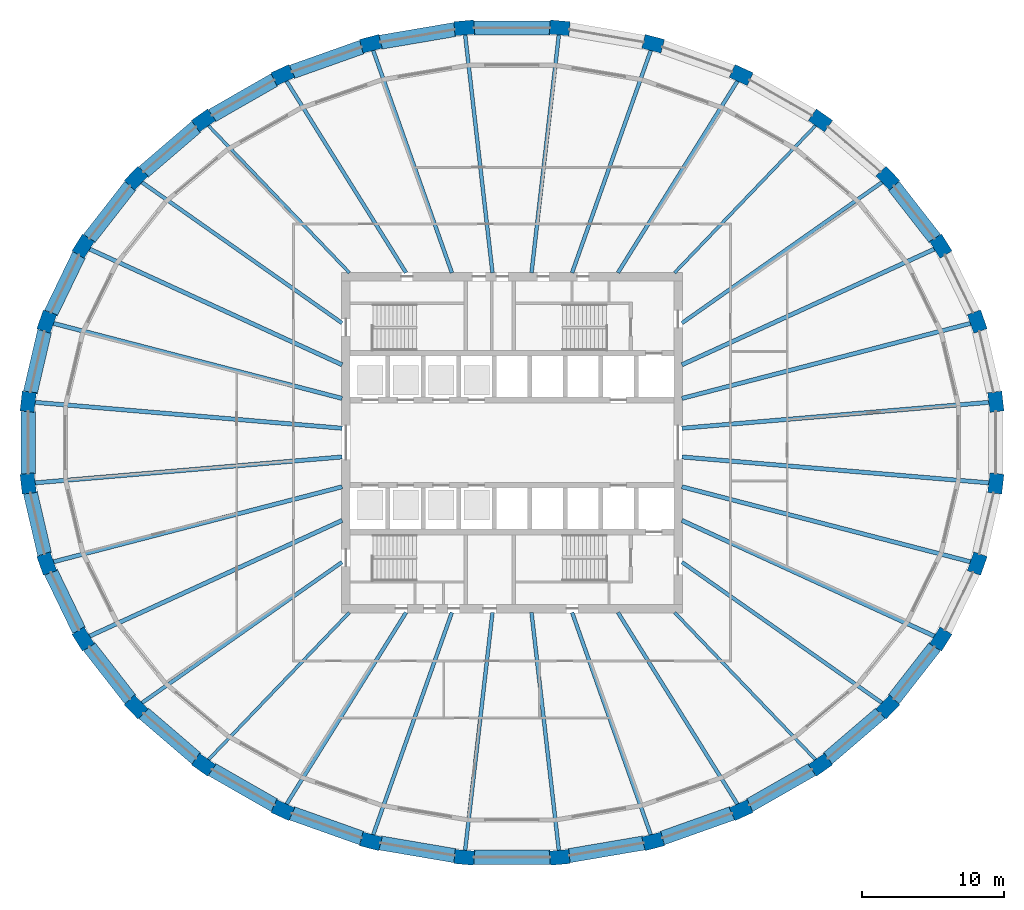
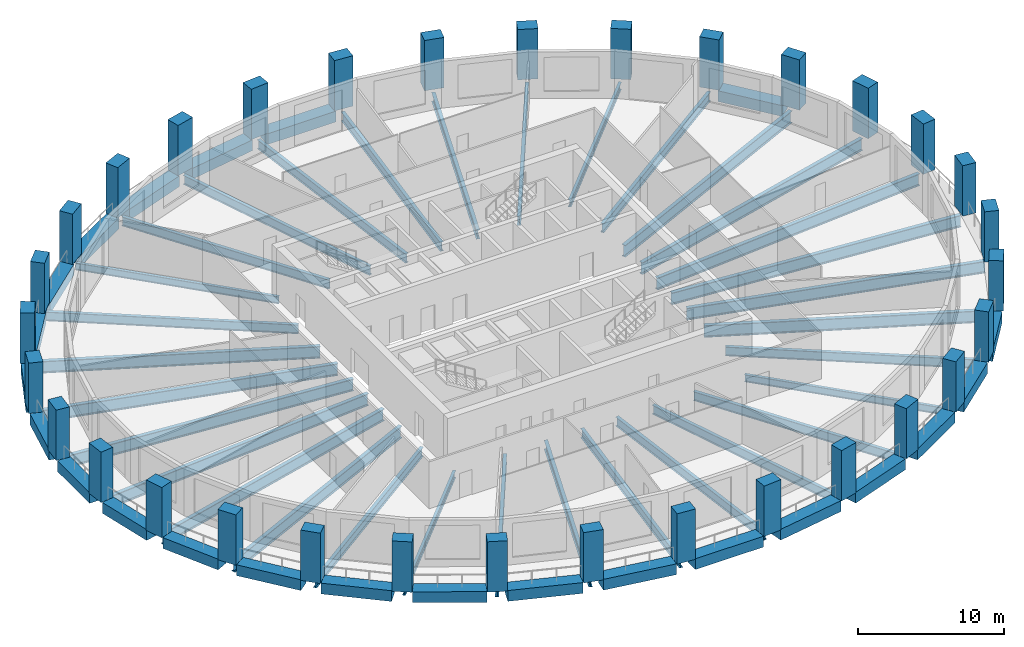
# One storey, part 1 of 11: 55 beams, 32 columns.
"""IFC4 building model written with IfcOpenShell, lengths in metres."""

from ifc_helpers import new_model, si_unit, direction, frame, origin, origin_2d, place, context, subcontext, project, spatial, rectangle, i_section, extrude, material, material_profile, profile_set, type_object, element, save


model = new_model("IFC4")

# Units and contexts
model_context = context("Model", 3, precision=1e-05, world=origin(), true_north=direction((0.0, 1.0)))
body_context = subcontext(model_context, "Body", "Model", "MODEL_VIEW")
ifc_project = project(units=[si_unit("LENGTHUNIT", "METRE"), si_unit("AREAUNIT", "SQUARE_METRE"), si_unit("VOLUMEUNIT", "CUBIC_METRE"), si_unit("PLANEANGLEUNIT", "RADIAN"), si_unit("MASSUNIT", "GRAM", prefix="KILO")], contexts=[model_context])

# Site, building, storey
site_placement = place(None, origin())
site = spatial("IfcSite", under=ifc_project, at=site_placement, CompositionType="ELEMENT")
building_placement = place(site_placement, origin())
building = spatial("IfcBuilding", under=site, at=building_placement, Name="Halqa Exchange Tower", CompositionType="ELEMENT")
storey_placement = place(building_placement, frame((0.0, 0.0, 142.300048828125)))
storey = spatial("IfcBuildingStorey", under=building, at=storey_placement, Name="L32", CompositionType="ELEMENT", Elevation=142.300048828125)

# Columns
ifc_material_1 = material(Name="Concrete C70/85", Category="concrete")
ifc_material_profile_1 = material_profile(ifc_material_1, rectangle(XDim=1.39990234375, YDim=1.0, at=origin_2d()), Name="1400 x 1000")
ifc_profile_set_1 = profile_set([ifc_material_profile_1], Name="Concrete C70/85")
column_type = type_object("IfcColumnType", Name="RC ring column 1400 x 1000 C70/85", PredefinedType="COLUMN", material=ifc_profile_set_1)
for number, where, z_axis, x_axis, name in (
    (1, (34.09814453125, 2.878662109375, 0.0), (0.0, 0.0, 1.0), (-0.114158655897, 0.993462531394, 0.0), "Ring column 1"),
    (2, (32.787841796875, 8.525146484375, 0.0), (0.0, 0.0, 1.0), (-0.33362916957, 0.942704395456, 0.0), "Ring column 2"),
    (3, (30.21728515625, 13.84423828125, 0.0), (0.0, 0.0, 1.0), (-0.529137534311, 0.848536074533, 0.0), "Ring column 3"),
    (4, (26.48583984375, 18.631103515625, 0.0), (0.0, 0.0, 1.0), (-0.691573569977, 0.722306027463, 0.0), "Ring column 4"),
    (5, (21.736328125, 22.7021484375, 0.0), (0.0, 0.0, 1.0), (-0.817907783846, 0.57534933486, 0.0), "Ring column 5"),
    (6, (16.151611328125, 25.900634765625, 0.0), (0.0, 0.0, 1.0), (-0.909127095833, 0.416518815449, 0.0), "Ring column 6"),
    (7, (9.946044921875, 28.10400390625, 0.0), (0.0, 0.0, 1.0), (-0.967819503571, 0.251645402317, 0.0), "Ring column 7"),
    (8, (3.3583984375, 29.22705078125, 0.0), (0.0, 0.0, 1.0), (-0.996455372165, 0.084123072248, 0.0), "Ring column 8"),
    (9, (-3.3583984375, 29.22705078125, 0.0), (0.0, 0.0, 1.0), (-0.996455372165, -0.084123072248, 0.0), "Ring column 9"),
    (10, (-9.946044921875, 28.10400390625, 0.0), (0.0, 0.0, 1.0), (-0.967819503571, -0.251645402317, 0.0), "Ring column 10"),
    (11, (-16.151611328125, 25.900634765625, 0.0), (0.0, 0.0, 1.0), (-0.909127095833, -0.416518815449, 0.0), "Ring column 11"),
    (12, (-21.736328125, 22.7021484375, 0.0), (0.0, 0.0, 1.0), (-0.817907783846, -0.57534933486, 0.0), "Ring column 12"),
    (13, (-26.48583984375, 18.631103515625, 0.0), (0.0, 0.0, 1.0), (-0.691573569977, -0.722306027463, 0.0), "Ring column 13"),
    (14, (-30.21728515625, 13.84423828125, 0.0), (0.0, 0.0, 1.0), (-0.529137534311, -0.848536074533, 0.0), "Ring column 14"),
    (15, (-32.787841796875, 8.525146484375, 0.0), (0.0, 0.0, 1.0), (-0.33362916957, -0.942704395456, 0.0), "Ring column 15"),
    (16, (-34.09814453125, 2.878662109375, 0.0), (0.0, 0.0, 1.0), (-0.114158655897, -0.993462531394, 0.0), "Ring column 16"),
    (17, (-34.09814453125, -2.878662109375, 0.0), (0.0, 0.0, 1.0), (0.114158655897, -0.993462531394, 0.0), "Ring column 17"),
    (18, (-32.787841796875, -8.525146484375, 0.0), (0.0, 0.0, 1.0), (0.33362916957, -0.942704395456, 0.0), "Ring column 18"),
    (19, (-30.21728515625, -13.84423828125, 0.0), (0.0, 0.0, 1.0), (0.529137534311, -0.848536074533, 0.0), "Ring column 19"),
    (20, (-26.48583984375, -18.631103515625, 0.0), (0.0, 0.0, 1.0), (0.691573569977, -0.722306027463, 0.0), "Ring column 20"),
    (21, (-21.736328125, -22.7021484375, 0.0), (0.0, 0.0, 1.0), (0.817907783846, -0.57534933486, 0.0), "Ring column 21"),
    (22, (-16.151611328125, -25.900634765625, 0.0), (0.0, 0.0, 1.0), (0.909127095833, -0.416518815449, 0.0), "Ring column 22"),
    (23, (-9.946044921875, -28.10400390625, 0.0), (0.0, 0.0, 1.0), (0.967819503571, -0.251645402317, 0.0), "Ring column 23"),
    (24, (-3.3583984375, -29.22705078125, 0.0), (0.0, 0.0, 1.0), (0.996455372165, -0.084123072248, 0.0), "Ring column 24"),
    (25, (3.3583984375, -29.22705078125, 0.0), (0.0, 0.0, 1.0), (0.996455372165, 0.084123072248, 0.0), "Ring column 25"),
    (26, (9.946044921875, -28.10400390625, 0.0), (0.0, 0.0, 1.0), (0.967819503571, 0.251645402317, 0.0), "Ring column 26"),
    (27, (16.151611328125, -25.900634765625, 0.0), (0.0, 0.0, 1.0), (0.909127095833, 0.416518815449, 0.0), "Ring column 27"),
    (28, (21.736328125, -22.7021484375, 0.0), (0.0, 0.0, 1.0), (0.817907783846, 0.57534933486, 0.0), "Ring column 28"),
    (29, (26.48583984375, -18.631103515625, 0.0), (0.0, 0.0, 1.0), (0.691573569977, 0.722306027463, 0.0), "Ring column 29"),
    (30, (30.21728515625, -13.84423828125, 0.0), (0.0, 0.0, 1.0), (0.529137534311, 0.848536074533, 0.0), "Ring column 30"),
    (31, (32.787841796875, -8.525146484375, 0.0), (0.0, 0.0, 1.0), (0.33362916957, 0.942704395456, 0.0), "Ring column 31"),
    (32, (34.09814453125, -2.878662109375, 0.0), (0.0, 0.0, 1.0), (0.114158655897, 0.993462531394, 0.0), "Ring column 32"),
):
    element("IfcColumn", number, at=place(storey_placement, frame(where, z_axis=z_axis, x_axis=x_axis)), inside=storey, type_object=column_type, Name=name, PredefinedType="COLUMN", context=body_context, shape_type="SweptSolid", body=[
        extrude(rectangle(XDim=1.39990234375, YDim=1.0, at=origin_2d()), origin(), (0.0, 0.0, 1.0), 4.199951171875),
    ])

# Beams
ifc_material_2 = material(Name="Steel S355", Category="steel")
ifc_material_profile_2 = material_profile(ifc_material_2, i_section(OverallWidth=0.300048828125, OverallDepth=0.989990234375, WebThickness=0.0166015625, FlangeThickness=0.031005859375, FilletRadius=0.030029296875, at=origin_2d()), Name="HEA 1000")
ifc_profile_set_2 = profile_set([ifc_material_profile_2], Name="Steel S355")
beam_type_1 = type_object("IfcBeamType", Name="Floor beam HEA 1000", PredefinedType="BEAM", material=ifc_profile_set_2)
beam_1_placement = place(storey_placement, frame((11.972412109375, 1.0107421875, -0.795166015625), z_axis=(0.996455173749, 0.084125422484, 0.0), x_axis=(-0.084125422484, 0.996455173749, 0.0)))
element("IfcBeam", 33, at=beam_1_placement, inside=storey, type_object=beam_type_1, Name="Radial beam 1", PredefinedType="BEAM", context=body_context, shape_type="SweptSolid", body=[
    extrude(i_section(OverallWidth=0.300048828125, OverallDepth=0.989990234375, WebThickness=0.0166015625, FlangeThickness=0.031005859375, FilletRadius=0.030029296875, at=origin_2d()), origin(), (0.0, 0.0, 1.0), 21.83251953125),
])
beam_2_placement = place(storey_placement, frame((11.97119140625, 3.11279296875, -0.795166015625), z_axis=(0.967820593748, 0.251641209498, 0.0), x_axis=(-0.251641209498, 0.967820593748, 0.0)))
element("IfcBeam", 34, at=beam_2_placement, inside=storey, type_object=beam_type_1, Name="Radial beam 2", PredefinedType="BEAM", context=body_context, shape_type="SweptSolid", body=[
    extrude(i_section(OverallWidth=0.300048828125, OverallDepth=0.989990234375, WebThickness=0.0166015625, FlangeThickness=0.031005859375, FilletRadius=0.030029296875, at=origin_2d()), origin(), (0.0, 0.0, 1.0), 21.134765625),
])
for number, where, z_axis, x_axis, name in (
    (35, (11.972412109375, 5.485107421875, -0.795166015625), (0.909126053859, 0.416521089737, 0.0), (-0.416521089737, 0.909126053859, 0.0), "Radial beam 3"),
    (36, (-11.972412109375, 5.485107421875, -0.795166015625), (-0.909126053859, 0.416521089737, 0.0), (-0.416521089737, -0.909126053859, 0.0), "Radial beam 14"),
):
    element("IfcBeam", number, at=place(storey_placement, frame(where, z_axis=z_axis, x_axis=x_axis)), inside=storey, type_object=beam_type_1, Name=name, PredefinedType="BEAM", context=body_context, shape_type="SweptSolid", body=[
        extrude(i_section(OverallWidth=0.300048828125, OverallDepth=0.989990234375, WebThickness=0.0166015625, FlangeThickness=0.031005859375, FilletRadius=0.030029296875, at=origin_2d()), origin(), (0.0, 0.0, 1.0), 19.692626953125),
    ])
beam_3_placement = place(storey_placement, frame((-11.97119140625, 3.11279296875, -0.795166015625), z_axis=(-0.967820593748, 0.251641209498, 0.0), x_axis=(-0.251641209498, -0.967820593748, 0.0)))
element("IfcBeam", 37, at=beam_3_placement, inside=storey, type_object=beam_type_1, Name="Radial beam 15", PredefinedType="BEAM", context=body_context, shape_type="SweptSolid", body=[
    extrude(i_section(OverallWidth=0.300048828125, OverallDepth=0.989990234375, WebThickness=0.0166015625, FlangeThickness=0.031005859375, FilletRadius=0.030029296875, at=origin_2d()), origin(), (0.0, 0.0, 1.0), 21.134765625),
])
for number, where, z_axis, x_axis, name in (
    (38, (-11.972412109375, 1.0107421875, -0.795166015625), (-0.996455173749, 0.084125422484, 0.0), (-0.084125422484, -0.996455173749, 0.0), "Radial beam 16"),
    (39, (-11.972412109375, -1.0107421875, -0.795166015625), (-0.996455173749, -0.084125422484, 0.0), (0.084125422484, -0.996455173749, 0.0), "Radial beam 17"),
):
    element("IfcBeam", number, at=place(storey_placement, frame(where, z_axis=z_axis, x_axis=x_axis)), inside=storey, type_object=beam_type_1, Name=name, PredefinedType="BEAM", context=body_context, shape_type="SweptSolid", body=[
        extrude(i_section(OverallWidth=0.300048828125, OverallDepth=0.989990234375, WebThickness=0.0166015625, FlangeThickness=0.031005859375, FilletRadius=0.030029296875, at=origin_2d()), origin(), (0.0, 0.0, 1.0), 21.83251953125),
    ])
beam_4_placement = place(storey_placement, frame((-11.97119140625, -3.11279296875, -0.795166015625), z_axis=(-0.967820593748, -0.251641209498, 0.0), x_axis=(0.251641209498, -0.967820593748, 0.0)))
element("IfcBeam", 40, at=beam_4_placement, inside=storey, type_object=beam_type_1, Name="Radial beam 18", PredefinedType="BEAM", context=body_context, shape_type="SweptSolid", body=[
    extrude(i_section(OverallWidth=0.300048828125, OverallDepth=0.989990234375, WebThickness=0.0166015625, FlangeThickness=0.031005859375, FilletRadius=0.030029296875, at=origin_2d()), origin(), (0.0, 0.0, 1.0), 21.134765625),
])
for number, where, z_axis, x_axis, name in (
    (41, (-11.972412109375, -5.485107421875, -0.795166015625), (-0.909126053859, -0.416521089737, 0.0), (0.416521089737, -0.909126053859, 0.0), "Radial beam 19"),
    (42, (11.972412109375, -5.485107421875, -0.795166015625), (0.909126053859, -0.416521089737, 0.0), (0.416521089737, 0.909126053859, 0.0), "Radial beam 30"),
):
    element("IfcBeam", number, at=place(storey_placement, frame(where, z_axis=z_axis, x_axis=x_axis)), inside=storey, type_object=beam_type_1, Name=name, PredefinedType="BEAM", context=body_context, shape_type="SweptSolid", body=[
        extrude(i_section(OverallWidth=0.300048828125, OverallDepth=0.989990234375, WebThickness=0.0166015625, FlangeThickness=0.031005859375, FilletRadius=0.030029296875, at=origin_2d()), origin(), (0.0, 0.0, 1.0), 19.692626953125),
    ])
beam_5_placement = place(storey_placement, frame((11.97119140625, -3.11279296875, -0.795166015625), z_axis=(0.967820593748, -0.251641209498, 0.0), x_axis=(0.251641209498, 0.967820593748, 0.0)))
element("IfcBeam", 43, at=beam_5_placement, inside=storey, type_object=beam_type_1, Name="Radial beam 31", PredefinedType="BEAM", context=body_context, shape_type="SweptSolid", body=[
    extrude(i_section(OverallWidth=0.300048828125, OverallDepth=0.989990234375, WebThickness=0.0166015625, FlangeThickness=0.031005859375, FilletRadius=0.030029296875, at=origin_2d()), origin(), (0.0, 0.0, 1.0), 21.134765625),
])
beam_6_placement = place(storey_placement, frame((11.972412109375, -1.0107421875, -0.795166015625), z_axis=(0.996455173749, -0.084125422484, 0.0), x_axis=(0.084125422484, 0.996455173749, 0.0)))
element("IfcBeam", 44, at=beam_6_placement, inside=storey, type_object=beam_type_1, Name="Radial beam 32", PredefinedType="BEAM", context=body_context, shape_type="SweptSolid", body=[
    extrude(i_section(OverallWidth=0.300048828125, OverallDepth=0.989990234375, WebThickness=0.0166015625, FlangeThickness=0.031005859375, FilletRadius=0.030029296875, at=origin_2d()), origin(), (0.0, 0.0, 1.0), 21.83251953125),
])
ifc_material_profile_3 = material_profile(ifc_material_2, i_section(OverallWidth=0.219970703125, OverallDepth=0.60009765625, WebThickness=0.011962890625, FlangeThickness=0.01904296875, FilletRadius=0.02392578125, at=origin_2d()), Name="IPE 600")
ifc_profile_set_3 = profile_set([ifc_material_profile_3], Name="Steel S355")
beam_type_2 = type_object("IfcBeamType", Name="Floor beam IPE 600", PredefinedType="BEAM", material=ifc_profile_set_3)
for number, where, z_axis, x_axis, name in (
    (45, (11.463134765625, 11.972412109375, -0.60009765625), (0.69157018889, 0.722309264677, 0.0), (-0.722309264677, 0.69157018889, 0.0), "Radial beam 5"),
    (46, (-11.463134765625, 11.972412109375, -0.60009765625), (-0.69157018889, 0.722309264677, 0.0), (-0.722309264677, -0.69157018889, 0.0), "Radial beam 12"),
    (47, (-11.463134765625, -11.972412109375, -0.60009765625), (-0.69157018889, -0.722309264677, 0.0), (0.722309264677, -0.69157018889, 0.0), "Radial beam 21"),
    (48, (11.463134765625, -11.972412109375, -0.60009765625), (0.69157018889, -0.722309264677, 0.0), (0.722309264677, 0.69157018889, 0.0), "Radial beam 28"),
):
    element("IfcBeam", number, at=place(storey_placement, frame(where, z_axis=z_axis, x_axis=x_axis)), inside=storey, type_object=beam_type_2, Name=name, PredefinedType="BEAM", context=body_context, shape_type="SweptSolid", body=[
        extrude(i_section(OverallWidth=0.219970703125, OverallDepth=0.60009765625, WebThickness=0.011962890625, FlangeThickness=0.01904296875, FilletRadius=0.02392578125, at=origin_2d()), origin(), (0.0, 0.0, 1.0), 14.47900390625),
    ])
ifc_material_profile_4 = material_profile(ifc_material_2, i_section(OverallWidth=0.264892578125, OverallDepth=0.7529296875, WebThickness=0.01318359375, FlangeThickness=0.01708984375, FilletRadius=0.01708984375, at=origin_2d()), Name="IPE 750x147")
ifc_profile_set_4 = profile_set([ifc_material_profile_4], Name="Steel S355")
beam_type_3 = type_object("IfcBeamType", Name="Floor beam IPE 750x147", PredefinedType="BEAM", material=ifc_profile_set_4)
beam_7_placement = place(storey_placement, frame((11.97216796875, 8.421630859375, -0.676513671875), z_axis=(0.81790637414, 0.575351338872, 0.0), x_axis=(-0.575351338872, 0.81790637414, 0.0)))
element("IfcBeam", 49, at=beam_7_placement, inside=storey, type_object=beam_type_3, Name="Radial beam 4", PredefinedType="BEAM", context=body_context, shape_type="SweptSolid", body=[
    extrude(i_section(OverallWidth=0.264892578125, OverallDepth=0.7529296875, WebThickness=0.01318359375, FlangeThickness=0.01708984375, FilletRadius=0.01708984375, at=origin_2d()), origin(), (0.0, 0.0, 1.0), 17.368896484375),
])
beam_8_placement = place(storey_placement, frame((7.466064453125, 11.972412109375, -0.676513671875), z_axis=(0.52913391478, 0.848538331621, 0.0), x_axis=(-0.848538331621, 0.52913391478, 0.0)))
element("IfcBeam", 50, at=beam_8_placement, inside=storey, type_object=beam_type_3, Name="Radial beam 6", PredefinedType="BEAM", context=body_context, shape_type="SweptSolid", body=[
    extrude(i_section(OverallWidth=0.264892578125, OverallDepth=0.7529296875, WebThickness=0.01318359375, FlangeThickness=0.01708984375, FilletRadius=0.01708984375, at=origin_2d()), origin(), (0.0, 0.0, 1.0), 16.03857421875),
])
beam_9_placement = place(storey_placement, frame((4.23681640625, 11.9716796875, -0.676513671875), z_axis=(0.333628705168, 0.942704559811, 0.0), x_axis=(-0.942704559811, 0.333628705168, 0.0)))
element("IfcBeam", 51, at=beam_9_placement, inside=storey, type_object=beam_type_3, Name="Radial beam 7", PredefinedType="BEAM", context=body_context, shape_type="SweptSolid", body=[
    extrude(i_section(OverallWidth=0.264892578125, OverallDepth=0.7529296875, WebThickness=0.01318359375, FlangeThickness=0.01708984375, FilletRadius=0.01708984375, at=origin_2d()), origin(), (0.0, 0.0, 1.0), 16.738525390625),
])
for number, where, z_axis, x_axis, name in (
    (52, (1.375732421875, 11.972900390625, -0.676513671875), (0.114157917427, 0.993462616251, 0.0), (-0.993462616251, 0.114157917427, 0.0), "Radial beam 8"),
    (53, (-1.375732421875, 11.972900390625, -0.676513671875), (-0.114157917427, 0.993462616251, 0.0), (-0.993462616251, -0.114157917427, 0.0), "Radial beam 9"),
):
    element("IfcBeam", number, at=place(storey_placement, frame(where, z_axis=z_axis, x_axis=x_axis)), inside=storey, type_object=beam_type_3, Name=name, PredefinedType="BEAM", context=body_context, shape_type="SweptSolid", body=[
        extrude(i_section(OverallWidth=0.264892578125, OverallDepth=0.7529296875, WebThickness=0.01318359375, FlangeThickness=0.01708984375, FilletRadius=0.01708984375, at=origin_2d()), origin(), (0.0, 0.0, 1.0), 16.99560546875),
    ])
beam_10_placement = place(storey_placement, frame((-4.23681640625, 11.9716796875, -0.676513671875), z_axis=(-0.333628705168, 0.942704559811, 0.0), x_axis=(-0.942704559811, -0.333628705168, 0.0)))
element("IfcBeam", 54, at=beam_10_placement, inside=storey, type_object=beam_type_3, Name="Radial beam 10", PredefinedType="BEAM", context=body_context, shape_type="SweptSolid", body=[
    extrude(i_section(OverallWidth=0.264892578125, OverallDepth=0.7529296875, WebThickness=0.01318359375, FlangeThickness=0.01708984375, FilletRadius=0.01708984375, at=origin_2d()), origin(), (0.0, 0.0, 1.0), 16.738525390625),
])
beam_11_placement = place(storey_placement, frame((-7.466064453125, 11.972412109375, -0.676513671875), z_axis=(-0.52913391478, 0.848538331621, 0.0), x_axis=(-0.848538331621, -0.52913391478, 0.0)))
element("IfcBeam", 55, at=beam_11_placement, inside=storey, type_object=beam_type_3, Name="Radial beam 11", PredefinedType="BEAM", context=body_context, shape_type="SweptSolid", body=[
    extrude(i_section(OverallWidth=0.264892578125, OverallDepth=0.7529296875, WebThickness=0.01318359375, FlangeThickness=0.01708984375, FilletRadius=0.01708984375, at=origin_2d()), origin(), (0.0, 0.0, 1.0), 16.03857421875),
])
for number, where, z_axis, x_axis, name in (
    (56, (-11.97216796875, 8.421630859375, -0.676513671875), (-0.81790637414, 0.575351338872, 0.0), (-0.575351338872, -0.81790637414, 0.0), "Radial beam 13"),
    (57, (-11.97216796875, -8.421630859375, -0.676513671875), (-0.81790637414, -0.575351338872, 0.0), (0.575351338872, -0.81790637414, 0.0), "Radial beam 20"),
):
    element("IfcBeam", number, at=place(storey_placement, frame(where, z_axis=z_axis, x_axis=x_axis)), inside=storey, type_object=beam_type_3, Name=name, PredefinedType="BEAM", context=body_context, shape_type="SweptSolid", body=[
        extrude(i_section(OverallWidth=0.264892578125, OverallDepth=0.7529296875, WebThickness=0.01318359375, FlangeThickness=0.01708984375, FilletRadius=0.01708984375, at=origin_2d()), origin(), (0.0, 0.0, 1.0), 17.368896484375),
    ])
beam_12_placement = place(storey_placement, frame((-7.466064453125, -11.972412109375, -0.676513671875), z_axis=(-0.52913391478, -0.848538331621, 0.0), x_axis=(0.848538331621, -0.52913391478, 0.0)))
element("IfcBeam", 58, at=beam_12_placement, inside=storey, type_object=beam_type_3, Name="Radial beam 22", PredefinedType="BEAM", context=body_context, shape_type="SweptSolid", body=[
    extrude(i_section(OverallWidth=0.264892578125, OverallDepth=0.7529296875, WebThickness=0.01318359375, FlangeThickness=0.01708984375, FilletRadius=0.01708984375, at=origin_2d()), origin(), (0.0, 0.0, 1.0), 16.03857421875),
])
beam_13_placement = place(storey_placement, frame((-4.23681640625, -11.9716796875, -0.676513671875), z_axis=(-0.333628705168, -0.942704559811, 0.0), x_axis=(0.942704559811, -0.333628705168, 0.0)))
element("IfcBeam", 59, at=beam_13_placement, inside=storey, type_object=beam_type_3, Name="Radial beam 23", PredefinedType="BEAM", context=body_context, shape_type="SweptSolid", body=[
    extrude(i_section(OverallWidth=0.264892578125, OverallDepth=0.7529296875, WebThickness=0.01318359375, FlangeThickness=0.01708984375, FilletRadius=0.01708984375, at=origin_2d()), origin(), (0.0, 0.0, 1.0), 16.738525390625),
])
for number, where, z_axis, x_axis, name in (
    (60, (-1.375732421875, -11.972900390625, -0.676513671875), (-0.114157917427, -0.993462616251, 0.0), (0.993462616251, -0.114157917427, 0.0), "Radial beam 24"),
    (61, (1.375732421875, -11.972900390625, -0.676513671875), (0.114157917427, -0.993462616251, 0.0), (0.993462616251, 0.114157917427, 0.0), "Radial beam 25"),
):
    element("IfcBeam", number, at=place(storey_placement, frame(where, z_axis=z_axis, x_axis=x_axis)), inside=storey, type_object=beam_type_3, Name=name, PredefinedType="BEAM", context=body_context, shape_type="SweptSolid", body=[
        extrude(i_section(OverallWidth=0.264892578125, OverallDepth=0.7529296875, WebThickness=0.01318359375, FlangeThickness=0.01708984375, FilletRadius=0.01708984375, at=origin_2d()), origin(), (0.0, 0.0, 1.0), 16.99560546875),
    ])
beam_14_placement = place(storey_placement, frame((4.23681640625, -11.9716796875, -0.676513671875), z_axis=(0.333628705168, -0.942704559811, 0.0), x_axis=(0.942704559811, 0.333628705168, 0.0)))
element("IfcBeam", 62, at=beam_14_placement, inside=storey, type_object=beam_type_3, Name="Radial beam 26", PredefinedType="BEAM", context=body_context, shape_type="SweptSolid", body=[
    extrude(i_section(OverallWidth=0.264892578125, OverallDepth=0.7529296875, WebThickness=0.01318359375, FlangeThickness=0.01708984375, FilletRadius=0.01708984375, at=origin_2d()), origin(), (0.0, 0.0, 1.0), 16.738525390625),
])
beam_15_placement = place(storey_placement, frame((7.466064453125, -11.972412109375, -0.676513671875), z_axis=(0.52913391478, -0.848538331621, 0.0), x_axis=(0.848538331621, 0.52913391478, 0.0)))
element("IfcBeam", 63, at=beam_15_placement, inside=storey, type_object=beam_type_3, Name="Radial beam 27", PredefinedType="BEAM", context=body_context, shape_type="SweptSolid", body=[
    extrude(i_section(OverallWidth=0.264892578125, OverallDepth=0.7529296875, WebThickness=0.01318359375, FlangeThickness=0.01708984375, FilletRadius=0.01708984375, at=origin_2d()), origin(), (0.0, 0.0, 1.0), 16.03857421875),
])
beam_16_placement = place(storey_placement, frame((11.97216796875, -8.421630859375, -0.676513671875), z_axis=(0.81790637414, -0.575351338872, 0.0), x_axis=(0.575351338872, 0.81790637414, 0.0)))
element("IfcBeam", 64, at=beam_16_placement, inside=storey, type_object=beam_type_3, Name="Radial beam 29", PredefinedType="BEAM", context=body_context, shape_type="SweptSolid", body=[
    extrude(i_section(OverallWidth=0.264892578125, OverallDepth=0.7529296875, WebThickness=0.01318359375, FlangeThickness=0.01708984375, FilletRadius=0.01708984375, at=origin_2d()), origin(), (0.0, 0.0, 1.0), 17.368896484375),
])
ifc_material_3 = material(Name="Concrete C60/75", Category="concrete")
ifc_material_profile_5 = material_profile(ifc_material_3, rectangle(XDim=1.0, YDim=0.89990234375, at=origin_2d()), Name="1000 x 900")
ifc_profile_set_5 = profile_set([ifc_material_profile_5], Name="Concrete C60/75")
beam_type_4 = type_object("IfcBeamType", Name="RC spandrel beam 1000 x 900 C60/75", PredefinedType="SPANDREL", material=ifc_profile_set_5)
beam_17_placement = place(storey_placement, frame((29.802001953125, 14.377197265625, -0.449951171875), z_axis=(-0.614803403502, 0.788680401076, 0.0), x_axis=(-0.788680401076, -0.614803403502, 0.0)))
element("IfcBeam", 65, at=beam_17_placement, inside=storey, type_object=beam_type_4, Name="Spandrel 3", PredefinedType="SPANDREL", context=body_context, shape_type="SweptSolid", body=[
    extrude(rectangle(XDim=1.0, YDim=0.89990234375, at=origin_2d()), origin(), (0.0, 0.0, 1.0), 4.71923828125),
])
beam_18_placement = place(storey_placement, frame((2.68310546875, 29.22705078125, -0.449951171875), z_axis=(-1.0, 0.0, 0.0), x_axis=(0.0, -1.0, 0.0)))
element("IfcBeam", 66, at=beam_18_placement, inside=storey, type_object=beam_type_4, Name="Spandrel 8", PredefinedType="SPANDREL", context=body_context, shape_type="SweptSolid", body=[
    extrude(rectangle(XDim=1.0, YDim=0.89990234375, at=origin_2d()), origin(), (0.0, 0.0, 1.0), 5.3662109375),
])
beam_19_placement = place(storey_placement, frame((-4.024169921875, 29.113525390625, -0.449951171875), z_axis=(-0.985773443598, -0.168079498741, 0.0), x_axis=(0.168079498741, -0.985773443598, 0.0)))
element("IfcBeam", 67, at=beam_19_placement, inside=storey, type_object=beam_type_4, Name="Spandrel 9", PredefinedType="SPANDREL", context=body_context, shape_type="SweptSolid", body=[
    extrude(rectangle(XDim=1.0, YDim=0.89990234375, at=origin_2d()), origin(), (0.0, 0.0, 1.0), 5.333740234375),
])
beam_20_placement = place(storey_placement, frame((-10.58154296875, 27.87841796875, -0.449951171875), z_axis=(-0.942353294541, -0.334619587393, 0.0), x_axis=(0.334619587393, -0.942353294541, 0.0)))
element("IfcBeam", 68, at=beam_20_placement, inside=storey, type_object=beam_type_4, Name="Spandrel 10", PredefinedType="SPANDREL", context=body_context, shape_type="SweptSolid", body=[
    extrude(rectangle(XDim=1.0, YDim=0.89990234375, at=origin_2d()), origin(), (0.0, 0.0, 1.0), 5.235595703125),
])
beam_21_placement = place(storey_placement, frame((-16.736328125, 25.56591796875, -0.449951171875), z_axis=(-0.867746542686, -0.497006979484, 0.0), x_axis=(0.497006979484, -0.867746542686, 0.0)))
element("IfcBeam", 69, at=beam_21_placement, inside=storey, type_object=beam_type_4, Name="Spandrel 11", PredefinedType="SPANDREL", context=body_context, shape_type="SweptSolid", body=[
    extrude(rectangle(XDim=1.0, YDim=0.89990234375, at=origin_2d()), origin(), (0.0, 0.0, 1.0), 5.087158203125),
])
beam_22_placement = place(storey_placement, frame((-22.248046875, 22.263427734375, -0.449951171875), z_axis=(-0.759267140772, -0.650779078447, 0.0), x_axis=(0.650779078447, -0.759267140772, 0.0)))
element("IfcBeam", 70, at=beam_22_placement, inside=storey, type_object=beam_type_4, Name="Spandrel 12", PredefinedType="SPANDREL", context=body_context, shape_type="SweptSolid", body=[
    extrude(rectangle(XDim=1.0, YDim=0.89990234375, at=origin_2d()), origin(), (0.0, 0.0, 1.0), 4.90576171875),
])
beam_23_placement = place(storey_placement, frame((-26.900634765625, 18.09912109375, -0.449951171875), z_axis=(-0.614803403502, -0.788680401076, 0.0), x_axis=(0.788680401076, -0.614803403502, 0.0)))
element("IfcBeam", 71, at=beam_23_placement, inside=storey, type_object=beam_type_4, Name="Spandrel 13", PredefinedType="SPANDREL", context=body_context, shape_type="SweptSolid", body=[
    extrude(rectangle(XDim=1.0, YDim=0.89990234375, at=origin_2d()), origin(), (0.0, 0.0, 1.0), 4.71923828125),
])
beam_24_placement = place(storey_placement, frame((-30.510986328125, 13.236328125, -0.449951171875), z_axis=(-0.435149114215, -0.900358399971, 0.0), x_axis=(0.900358399971, -0.435149114215, 0.0)))
element("IfcBeam", 72, at=beam_24_placement, inside=storey, type_object=beam_type_4, Name="Spandrel 14", PredefinedType="SPANDREL", context=body_context, shape_type="SweptSolid", body=[
    extrude(rectangle(XDim=1.0, YDim=0.89990234375, at=origin_2d()), origin(), (0.0, 0.0, 1.0), 4.556396484375),
])
beam_25_placement = place(storey_placement, frame((-32.94091796875, 7.86572265625, -0.449951171875), z_axis=(-0.226018930152, -0.974122909705, 0.0), x_axis=(0.974122909705, -0.226018930152, 0.0)))
element("IfcBeam", 73, at=beam_25_placement, inside=storey, type_object=beam_type_4, Name="Spandrel 15", PredefinedType="SPANDREL", context=body_context, shape_type="SweptSolid", body=[
    extrude(rectangle(XDim=1.0, YDim=0.89990234375, at=origin_2d()), origin(), (0.0, 0.0, 1.0), 4.44384765625),
])
beam_26_placement = place(storey_placement, frame((-34.09814453125, 2.20263671875, -0.449951171875), z_axis=(0.0, -1.0, 0.0), x_axis=(1.0, 0.0, 0.0)))
element("IfcBeam", 74, at=beam_26_placement, inside=storey, type_object=beam_type_4, Name="Spandrel 16", PredefinedType="SPANDREL", context=body_context, shape_type="SweptSolid", body=[
    extrude(rectangle(XDim=1.0, YDim=0.89990234375, at=origin_2d()), origin(), (0.0, 0.0, 1.0), 4.4052734375),
])
beam_27_placement = place(storey_placement, frame((-33.9453125, -3.536865234375, -0.449951171875), z_axis=(0.226018930152, -0.974122909705, 0.0), x_axis=(0.974122909705, 0.226018930152, 0.0)))
element("IfcBeam", 75, at=beam_27_placement, inside=storey, type_object=beam_type_4, Name="Spandrel 17", PredefinedType="SPANDREL", context=body_context, shape_type="SweptSolid", body=[
    extrude(rectangle(XDim=1.0, YDim=0.89990234375, at=origin_2d()), origin(), (0.0, 0.0, 1.0), 4.44384765625),
])
beam_28_placement = place(storey_placement, frame((-32.49365234375, -9.134033203125, -0.449951171875), z_axis=(0.435149114215, -0.900358399971, 0.0), x_axis=(0.900358399971, 0.435149114215, 0.0)))
element("IfcBeam", 76, at=beam_28_placement, inside=storey, type_object=beam_type_4, Name="Spandrel 18", PredefinedType="SPANDREL", context=body_context, shape_type="SweptSolid", body=[
    extrude(rectangle(XDim=1.0, YDim=0.89990234375, at=origin_2d()), origin(), (0.0, 0.0, 1.0), 4.556396484375),
])
beam_29_placement = place(storey_placement, frame((-29.802001953125, -14.377197265625, -0.449951171875), z_axis=(0.614803403502, -0.788680401076, 0.0), x_axis=(0.788680401076, 0.614803403502, 0.0)))
element("IfcBeam", 77, at=beam_29_placement, inside=storey, type_object=beam_type_4, Name="Spandrel 19", PredefinedType="SPANDREL", context=body_context, shape_type="SweptSolid", body=[
    extrude(rectangle(XDim=1.0, YDim=0.89990234375, at=origin_2d()), origin(), (0.0, 0.0, 1.0), 4.71923828125),
])
beam_30_placement = place(storey_placement, frame((-25.972900390625, -19.07080078125, -0.449951171875), z_axis=(0.759267140772, -0.650779078447, 0.0), x_axis=(0.650779078447, 0.759267140772, 0.0)))
element("IfcBeam", 78, at=beam_30_placement, inside=storey, type_object=beam_type_4, Name="Spandrel 20", PredefinedType="SPANDREL", context=body_context, shape_type="SweptSolid", body=[
    extrude(rectangle(XDim=1.0, YDim=0.89990234375, at=origin_2d()), origin(), (0.0, 0.0, 1.0), 4.90576171875),
])
beam_31_placement = place(storey_placement, frame((-21.150634765625, -23.03759765625, -0.449951171875), z_axis=(0.867746542686, -0.497006979484, 0.0), x_axis=(0.497006979484, 0.867746542686, 0.0)))
element("IfcBeam", 79, at=beam_31_placement, inside=storey, type_object=beam_type_4, Name="Spandrel 21", PredefinedType="SPANDREL", context=body_context, shape_type="SweptSolid", body=[
    extrude(rectangle(XDim=1.0, YDim=0.89990234375, at=origin_2d()), origin(), (0.0, 0.0, 1.0), 5.087158203125),
])
beam_32_placement = place(storey_placement, frame((-15.515380859375, -26.12646484375, -0.449951171875), z_axis=(0.942353294541, -0.334619587393, 0.0), x_axis=(0.334619587393, 0.942353294541, 0.0)))
element("IfcBeam", 80, at=beam_32_placement, inside=storey, type_object=beam_type_4, Name="Spandrel 22", PredefinedType="SPANDREL", context=body_context, shape_type="SweptSolid", body=[
    extrude(rectangle(XDim=1.0, YDim=0.89990234375, at=origin_2d()), origin(), (0.0, 0.0, 1.0), 5.235595703125),
])
beam_33_placement = place(storey_placement, frame((-9.281982421875, -28.217041015625, -0.449951171875), z_axis=(0.985773443598, -0.168079498741, 0.0), x_axis=(0.168079498741, 0.985773443598, 0.0)))
element("IfcBeam", 81, at=beam_33_placement, inside=storey, type_object=beam_type_4, Name="Spandrel 23", PredefinedType="SPANDREL", context=body_context, shape_type="SweptSolid", body=[
    extrude(rectangle(XDim=1.0, YDim=0.89990234375, at=origin_2d()), origin(), (0.0, 0.0, 1.0), 5.333740234375),
])
beam_34_placement = place(storey_placement, frame((-2.68310546875, -29.22705078125, -0.449951171875), z_axis=(1.0, 0.0, 0.0), x_axis=(0.0, 1.0, 0.0)))
element("IfcBeam", 82, at=beam_34_placement, inside=storey, type_object=beam_type_4, Name="Spandrel 24", PredefinedType="SPANDREL", context=body_context, shape_type="SweptSolid", body=[
    extrude(rectangle(XDim=1.0, YDim=0.89990234375, at=origin_2d()), origin(), (0.0, 0.0, 1.0), 5.3662109375),
])
beam_35_placement = place(storey_placement, frame((4.024169921875, -29.113525390625, -0.449951171875), z_axis=(0.985773443598, 0.168079498741, 0.0), x_axis=(-0.168079498741, 0.985773443598, 0.0)))
element("IfcBeam", 83, at=beam_35_placement, inside=storey, type_object=beam_type_4, Name="Spandrel 25", PredefinedType="SPANDREL", context=body_context, shape_type="SweptSolid", body=[
    extrude(rectangle(XDim=1.0, YDim=0.89990234375, at=origin_2d()), origin(), (0.0, 0.0, 1.0), 5.333740234375),
])
beam_36_placement = place(storey_placement, frame((10.58154296875, -27.87841796875, -0.449951171875), z_axis=(0.942353294541, 0.334619587393, 0.0), x_axis=(-0.334619587393, 0.942353294541, 0.0)))
element("IfcBeam", 84, at=beam_36_placement, inside=storey, type_object=beam_type_4, Name="Spandrel 26", PredefinedType="SPANDREL", context=body_context, shape_type="SweptSolid", body=[
    extrude(rectangle(XDim=1.0, YDim=0.89990234375, at=origin_2d()), origin(), (0.0, 0.0, 1.0), 5.235595703125),
])
beam_37_placement = place(storey_placement, frame((16.736328125, -25.56591796875, -0.449951171875), z_axis=(0.867746542686, 0.497006979484, 0.0), x_axis=(-0.497006979484, 0.867746542686, 0.0)))
element("IfcBeam", 85, at=beam_37_placement, inside=storey, type_object=beam_type_4, Name="Spandrel 27", PredefinedType="SPANDREL", context=body_context, shape_type="SweptSolid", body=[
    extrude(rectangle(XDim=1.0, YDim=0.89990234375, at=origin_2d()), origin(), (0.0, 0.0, 1.0), 5.087158203125),
])
beam_38_placement = place(storey_placement, frame((22.248046875, -22.263427734375, -0.449951171875), z_axis=(0.759267140772, 0.650779078447, 0.0), x_axis=(-0.650779078447, 0.759267140772, 0.0)))
element("IfcBeam", 86, at=beam_38_placement, inside=storey, type_object=beam_type_4, Name="Spandrel 28", PredefinedType="SPANDREL", context=body_context, shape_type="SweptSolid", body=[
    extrude(rectangle(XDim=1.0, YDim=0.89990234375, at=origin_2d()), origin(), (0.0, 0.0, 1.0), 4.90576171875),
])
beam_39_placement = place(storey_placement, frame((26.900634765625, -18.09912109375, -0.449951171875), z_axis=(0.614803403502, 0.788680401076, 0.0), x_axis=(-0.788680401076, 0.614803403502, 0.0)))
element("IfcBeam", 87, at=beam_39_placement, inside=storey, type_object=beam_type_4, Name="Spandrel 29", PredefinedType="SPANDREL", context=body_context, shape_type="SweptSolid", body=[
    extrude(rectangle(XDim=1.0, YDim=0.89990234375, at=origin_2d()), origin(), (0.0, 0.0, 1.0), 4.71923828125),
])

save(model, "model.ifc")
